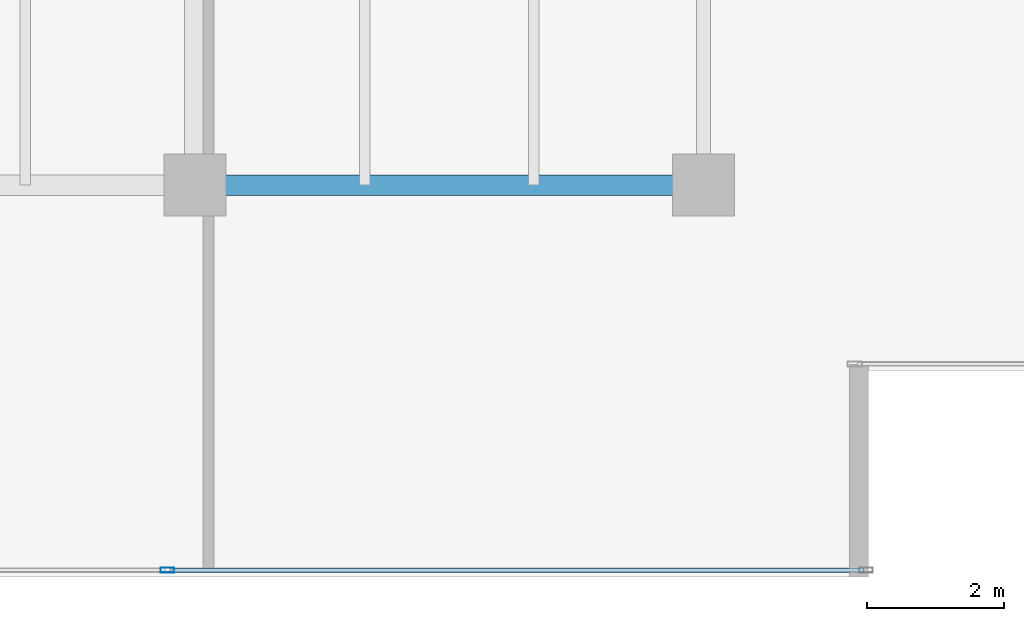
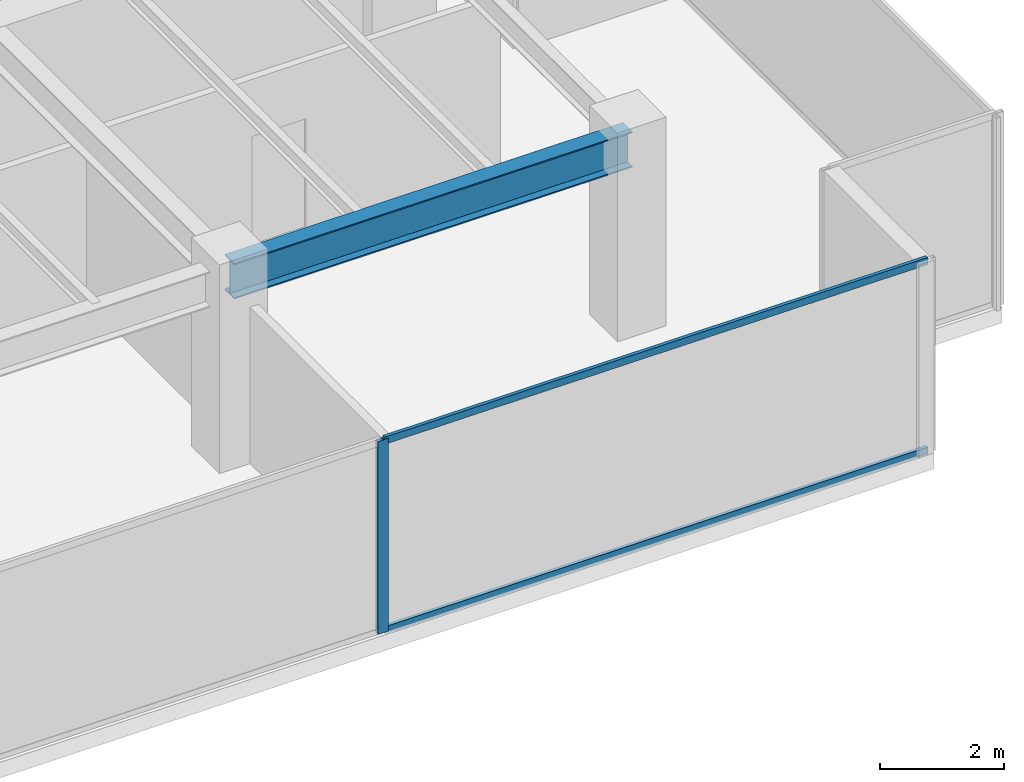
# One storey, part 12 of 30: 3 members, 1 beam, 1 element without a shape of its own.
"""IFC4 building model written with IfcOpenShell, lengths in metres."""

from ifc_helpers import new_model, si_unit, direction, frame, origin, origin_2d, place, context, subcontext, project, spatial, hollow_rectangle, i_section, extrude, source, transform, mapped, material, layer, layer_set, material_profile, profile_set, type_object, type_shapes, element, aggregate, save


model = new_model("IFC4")

# Units and contexts
model_context = context("Model", 3, precision=1e-05, world=origin(), true_north=direction((0.0, 1.0)))
body_context = subcontext(model_context, "Body", "Model", "MODEL_VIEW")
ifc_project = project(units=[si_unit("LENGTHUNIT", "METRE"), si_unit("AREAUNIT", "SQUARE_METRE"), si_unit("VOLUMEUNIT", "CUBIC_METRE"), si_unit("PLANEANGLEUNIT", "RADIAN"), si_unit("MASSUNIT", "GRAM", prefix="KILO")], contexts=[model_context])

# Site, building, storey
site_placement = place(None, origin())
site = spatial("IfcSite", under=ifc_project, at=site_placement, CompositionType="ELEMENT")
building_placement = place(site_placement, origin())
building = spatial("IfcBuilding", under=site, at=building_placement, Name="Haelvirn Gate Laboratories", CompositionType="ELEMENT")
storey_placement = place(building_placement, frame((0.0, 0.0, 142.0)))
storey = spatial("IfcBuildingStorey", under=building, at=storey_placement, Name="L34", CompositionType="ELEMENT", Elevation=142.0)

# Beam
ifc_material_1 = material(Name="Steel SM355", Category="steel")
ifc_material_profile_1 = material_profile(ifc_material_1, i_section(OverallWidth=0.300048828125, OverallDepth=0.699951171875, WebThickness=0.012939453125, FlangeThickness=0.02392578125, at=origin_2d()), Name="H-700x300x13x24")
ifc_profile_set_1 = profile_set([ifc_material_profile_1], Name="Steel SM355")
beam_type = type_object("IfcBeamType", Name="BM-G-700", PredefinedType="BEAM", material=ifc_profile_set_1)
shared_shape_1 = source(origin(), body_context, "Body", "SweptSolid", [
    extrude(i_section(OverallWidth=0.300048828125, OverallDepth=0.699951171875, WebThickness=0.012939453125, FlangeThickness=0.02392578125, at=origin_2d()), origin(), (0.0, 0.0, 1.0), 7.39990234375),
])
type_shapes(beam_type, [shared_shape_1])
beam_placement = place(storey_placement, frame((60.0, 7.0, 3.43994140625), z_axis=(1.0, 0.0, 0.0), x_axis=(0.0, 1.0, 0.0)))
element("IfcBeam", 1, at=beam_placement, inside=storey, type_object=beam_type, Name="L34 Primary Girder Y7.0 (60.0-67.4)", PredefinedType="BEAM", context=body_context, shape_type="MappedRepresentation", body=[
    mapped(shared_shape_1, transform((0.0, 0.0, 0.0), scale=1.0)),
])

# Curtain wall, members
ifc_material_2 = material(Name="Anodised bronze unitised aluminium & triple low-E glass", Category="aluminium")
ifc_layer = layer(ifc_material_2, 0.179931640625, Name="CW-SYS-3")
ifc_layer_set = layer_set([ifc_layer], Name="Anodised bronze unitised aluminium & triple low-E glass")
curtain_wall_type = type_object("IfcCurtainWallType", Name="CW-SYS-3", PredefinedType="NOTDEFINED", material=ifc_layer_set)
curtain_wall_placement = place(storey_placement, origin())
curtain_wall = element("IfcCurtainWall", 2, at=curtain_wall_placement, inside=storey, type_object=curtain_wall_type, Name="L34 Unitised Curtain Wall CW-L34-P0-E04-1", PredefinedType="NOTDEFINED")
ifc_material_3 = material(Name="Extruded aluminium 6063-T6 (anodised bronze)", Category="aluminium")
ifc_material_profile_2 = material_profile(ifc_material_3, hollow_rectangle(XDim=0.06494140625, YDim=0.139892578125, WallThickness=0.00390625, at=origin_2d()), Name="CWT-140x65x4")
ifc_profile_set_2 = profile_set([ifc_material_profile_2], Name="Extruded aluminium 6063-T6 (anodised bronze)")
member_type_1 = type_object("IfcMemberType", Name="CWT-T140", PredefinedType="USERDEFINED", material=ifc_profile_set_2)
shared_shape_2 = source(origin(), body_context, "Body", "SweptSolid", [
    extrude(hollow_rectangle(XDim=0.06494140625, YDim=0.139892578125, WallThickness=0.00390625, at=origin_2d()), origin(), (0.0, 0.0, 1.0), 10.087646484375),
])
type_shapes(member_type_1, [shared_shape_2])
member_1_placement = place(storey_placement, frame((59.637451171875, 1.39990234375, 0.032470703125), z_axis=(1.0, 0.0, 0.0), x_axis=(0.0, 1.0, 0.0)))
member_1 = element("IfcMember", 3, at=member_1_placement, type_object=member_type_1, Name="CW3 transom 2.1", ObjectType="TRANSOM", PredefinedType="USERDEFINED", context=body_context, shape_type="MappedRepresentation", body=[
    mapped(shared_shape_2, transform((0.0, 0.0, 0.0), scale=1.0)),
])
member_2_placement = place(storey_placement, frame((59.637451171875, 1.39990234375, 3.757568359375), z_axis=(1.0, 0.0, 0.0), x_axis=(0.0, 1.0, 0.0)))
member_2 = element("IfcMember", 4, at=member_2_placement, type_object=member_type_1, Name="CW3 transom 2.2", ObjectType="TRANSOM", PredefinedType="USERDEFINED", context=body_context, shape_type="MappedRepresentation", body=[
    mapped(shared_shape_2, transform((0.0, 0.0, 0.0), scale=1.0)),
])
ifc_material_profile_3 = material_profile(ifc_material_3, hollow_rectangle(XDim=0.074951171875, YDim=0.199951171875, WallThickness=0.0048828125, at=origin_2d()), Name="CWM-200x75x5")
ifc_profile_set_3 = profile_set([ifc_material_profile_3], Name="Extruded aluminium 6063-T6 (anodised bronze)")
member_type_2 = type_object("IfcMemberType", Name="CWM-T200", PredefinedType="MULLION", material=ifc_profile_set_3)
shared_shape_3 = source(origin(), body_context, "Body", "SweptSolid", [
    extrude(hollow_rectangle(XDim=0.074951171875, YDim=0.199951171875, WallThickness=0.0048828125, at=origin_2d()), origin(), (0.0, 0.0, 1.0), 3.7900390625),
])
type_shapes(member_type_2, [shared_shape_3])
member_3_placement = place(storey_placement, frame((59.60009765625, 1.39990234375, 0.0), z_axis=(0.0, 0.0, 1.0), x_axis=(0.0, 1.0, 0.0)))
member_3 = element("IfcMember", 5, at=member_3_placement, type_object=member_type_2, Name="CW3 mullion 2", PredefinedType="MULLION", context=body_context, shape_type="MappedRepresentation", body=[
    mapped(shared_shape_3, transform((0.0, 0.0, 0.0), scale=1.0)),
])
aggregate(curtain_wall, [member_3, member_1, member_2])

save(model, "model.ifc")
